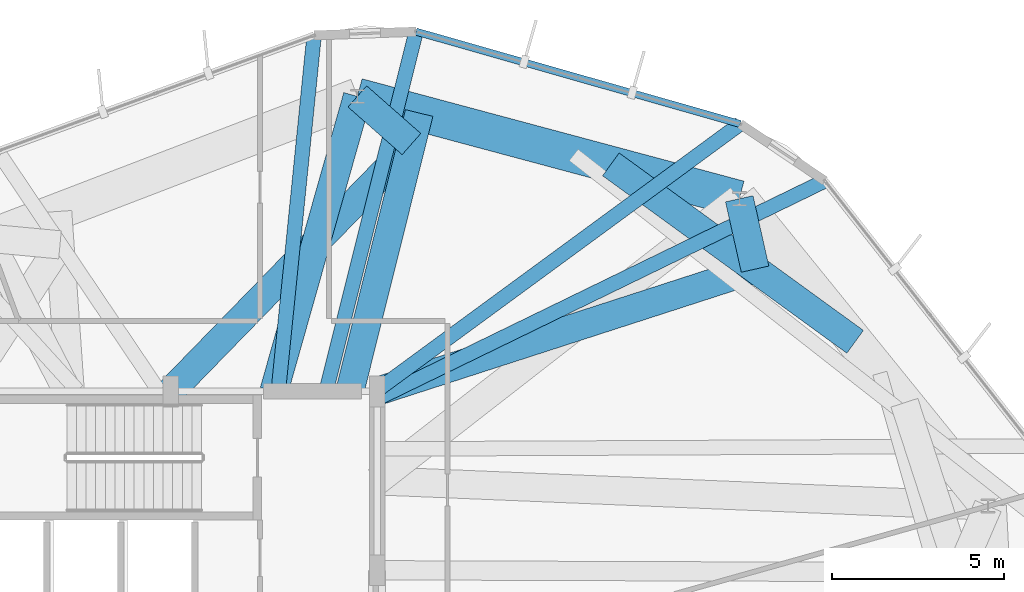
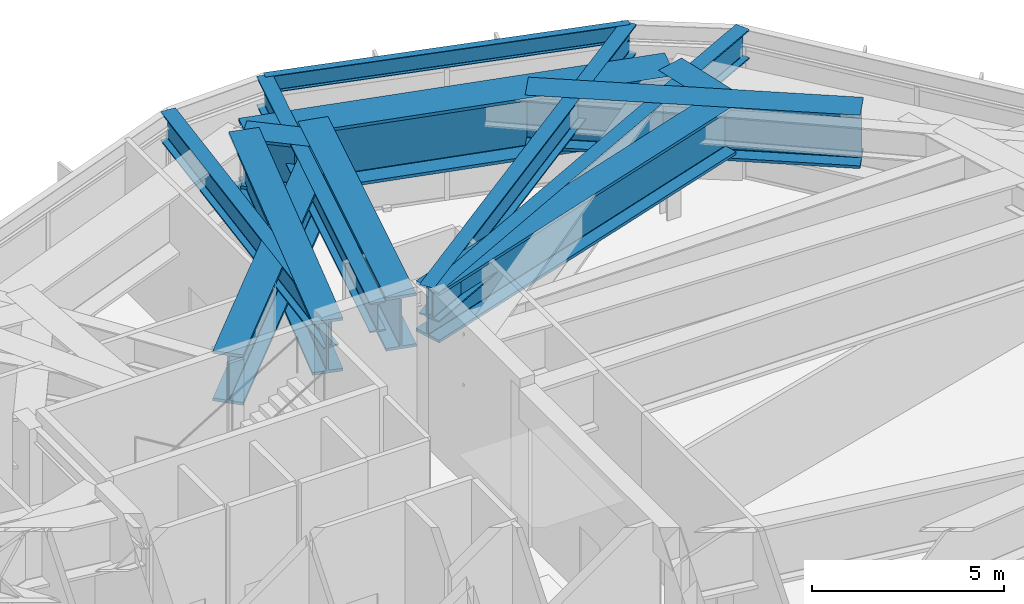
# One storey, part 20 of 30: 13 beams.
"""IFC4 building model written with IfcOpenShell, lengths in metres."""

from ifc_helpers import new_model, si_unit, direction, frame, origin, origin_2d, place, context, subcontext, project, spatial, i_section, extrude, material, material_profile, profile_set, type_object, element, save


model = new_model("IFC4")

# Units and contexts
model_context = context("Model", 3, precision=1e-05, world=origin(), true_north=direction((0.0, 1.0)))
body_context = subcontext(model_context, "Body", "Model", "MODEL_VIEW")
ifc_project = project(units=[si_unit("LENGTHUNIT", "METRE"), si_unit("AREAUNIT", "SQUARE_METRE"), si_unit("VOLUMEUNIT", "CUBIC_METRE"), si_unit("PLANEANGLEUNIT", "RADIAN"), si_unit("MASSUNIT", "GRAM", prefix="KILO")], contexts=[model_context])

# Site, building, storey
site_placement = place(None, origin())
site = spatial("IfcSite", under=ifc_project, at=site_placement, CompositionType="ELEMENT")
building_placement = place(site_placement, origin())
building = spatial("IfcBuilding", under=site, at=building_placement, Name="Soratama Intermodal Tower", CompositionType="ELEMENT")
storey_placement = place(building_placement, frame((0.0, 0.0, 237.39990234375)))
storey = spatial("IfcBuildingStorey", under=building, at=storey_placement, Name="L60", CompositionType="ELEMENT", Elevation=237.39990234375)

# Beams
ifc_material_1 = material(Name="Structural steel ASTM A992 Grade 50", Category="steel")
ifc_material_profile_1 = material_profile(ifc_material_1, i_section(OverallWidth=0.423095703125, OverallDepth=0.93896484375, WebThickness=0.02392578125, FlangeThickness=0.042724609375, FilletRadius=0.02392578125, at=origin_2d()), Name="W36X302")
ifc_profile_set_1 = profile_set([ifc_material_profile_1], Name="Structural steel ASTM A992 Grade 50")
beam_type_1 = type_object("IfcBeamType", Name="BM-POD-W36X302", PredefinedType="BEAM", material=ifc_profile_set_1)
beam_1_placement = place(storey_placement, frame((44.587890625, 35.02392578125, 4.33056640625), z_axis=(0.806393743969, 0.591379006803, 0.0), x_axis=(-0.591379006803, 0.806393743969, 0.0)))
element("IfcBeam", 1, at=beam_1_placement, inside=storey, type_object=beam_type_1, Name="BM-L60-TIE0-01", PredefinedType="BEAM", context=body_context, shape_type="SweptSolid", body=[
    extrude(i_section(OverallWidth=0.423095703125, OverallDepth=0.93896484375, WebThickness=0.02392578125, FlangeThickness=0.042724609375, FilletRadius=0.02392578125, at=origin_2d()), origin(), (0.0, 0.0, 1.0), 13.106689453125),
])
beam_2_placement = place(storey_placement, frame((43.1259765625, 35.0390625, 4.33056640625), z_axis=(0.242792321755, 0.97007828988, 0.0), x_axis=(-0.97007828988, 0.242792321755, 0.0)))
element("IfcBeam", 2, at=beam_2_placement, inside=storey, type_object=beam_type_1, Name="BM-L60-TIE1-01", PredefinedType="BEAM", context=body_context, shape_type="SweptSolid", body=[
    extrude(i_section(OverallWidth=0.423095703125, OverallDepth=0.93896484375, WebThickness=0.02392578125, FlangeThickness=0.042724609375, FilletRadius=0.02392578125, at=origin_2d()), origin(), (0.0, 0.0, 1.0), 10.7412109375),
])
beam_3_placement = place(storey_placement, frame((41.73193359375, 35.0400390625, 4.33056640625), z_axis=(0.100180192017, 0.994969310646, 0.0), x_axis=(-0.994969310646, 0.100180192017, 0.0)))
element("IfcBeam", 3, at=beam_3_placement, inside=storey, type_object=beam_type_1, Name="BM-L60-TIE0-02", PredefinedType="BEAM", context=body_context, shape_type="SweptSolid", body=[
    extrude(i_section(OverallWidth=0.423095703125, OverallDepth=0.93896484375, WebThickness=0.02392578125, FlangeThickness=0.042724609375, FilletRadius=0.02392578125, at=origin_2d()), origin(), (0.0, 0.0, 1.0), 10.3623046875),
])
beam_4_placement = place(storey_placement, frame((44.635986328125, 34.802978515625, 4.33056640625), z_axis=(0.899204344105, 0.437528910522, 0.0), x_axis=(-0.437528910522, 0.899204344105, 0.0)))
element("IfcBeam", 4, at=beam_4_placement, inside=storey, type_object=beam_type_1, Name="BM-L60-TIE1-10", PredefinedType="BEAM", context=body_context, shape_type="SweptSolid", body=[
    extrude(i_section(OverallWidth=0.423095703125, OverallDepth=0.93896484375, WebThickness=0.02392578125, FlangeThickness=0.042724609375, FilletRadius=0.02392578125, at=origin_2d()), origin(), (0.0, 0.0, 1.0), 14.438232421875),
])
ifc_material_2 = material(Name="Structural steel ASTM A992 Grade 50", Category="steel")
ifc_material_profile_2 = material_profile(ifc_material_2, i_section(OverallWidth=0.2099609375, OverallDepth=0.537109375, WebThickness=0.010986328125, FlangeThickness=0.017333984375, FilletRadius=0.012939453125, at=origin_2d()), Name="W21X68")
ifc_profile_set_2 = profile_set([ifc_material_profile_2], Name="Structural steel ASTM A992 Grade 50")
beam_type_2 = type_object("IfcBeamType", Name="BM-SPN-W21X68", PredefinedType="SPANDREL", material=ifc_profile_set_2)
beam_5_placement = place(storey_placement, frame((55.156982421875, 42.77490234375, 4.531494140625), z_axis=(-0.961745541856, 0.273944360628, 0.0), x_axis=(-0.273944360628, -0.961745541856, 0.0)))
element("IfcBeam", 5, at=beam_5_placement, inside=storey, type_object=beam_type_2, Name="BS-L60-F01", PredefinedType="SPANDREL", context=body_context, shape_type="SweptSolid", body=[
    extrude(i_section(OverallWidth=0.2099609375, OverallDepth=0.537109375, WebThickness=0.010986328125, FlangeThickness=0.017333984375, FilletRadius=0.012939453125, at=origin_2d()), origin(), (0.0, 0.0, 1.0), 9.7978515625),
])
ifc_material_3 = material(Name="Structural steel ASTM A992 Grade 50", Category="steel")
ifc_material_profile_3 = material_profile(ifc_material_3, i_section(OverallWidth=0.820068359375, OverallDepth=1.699951171875, WebThickness=0.053955078125, FlangeThickness=0.087890625, FilletRadius=0.02392578125, at=origin_2d()), Name="PG1580X800")
ifc_profile_set_3 = profile_set([ifc_material_profile_3], Name="Structural steel ASTM A992 Grade 50")
beam_type_3 = type_object("IfcBeamType", Name="BM-ZSTEP-PG1580", PredefinedType="BEAM", material=ifc_profile_set_3)
beam_6_placement = place(storey_placement, frame((58.498046875, 36.44091796875, 3.9501953125), z_axis=(-0.809072757746, 0.58770849294, 0.0), x_axis=(-0.58770849294, -0.809072757746, 0.0)))
element("IfcBeam", 6, at=beam_6_placement, inside=storey, type_object=beam_type_3, Name="BM-L60-ZCHORD-02", PredefinedType="BEAM", context=body_context, shape_type="SweptSolid", body=[
    extrude(i_section(OverallWidth=0.820068359375, OverallDepth=1.699951171875, WebThickness=0.053955078125, FlangeThickness=0.087890625, FilletRadius=0.02392578125, at=origin_2d()), origin(), (0.0, 0.0, 1.0), 8.77685546875),
])
beam_7_placement = place(storey_placement, frame((45.824951171875, 43.093017578125, 3.9501953125), z_axis=(-0.241812377871, -0.970323025548, 0.0), x_axis=(0.970323025548, -0.241812377871, 0.0)))
element("IfcBeam", 7, at=beam_7_placement, inside=storey, type_object=beam_type_3, Name="BM-L60-ZCHORD-03", PredefinedType="BEAM", context=body_context, shape_type="SweptSolid", body=[
    extrude(i_section(OverallWidth=0.820068359375, OverallDepth=1.699951171875, WebThickness=0.053955078125, FlangeThickness=0.087890625, FilletRadius=0.02392578125, at=origin_2d()), origin(), (0.0, 0.0, 1.0), 8.340576171875),
])
beam_8_placement = place(storey_placement, frame((41.60009765625, 35.0, 3.9501953125), z_axis=(0.272335865412, 0.96220225338, 0.0), x_axis=(-0.96220225338, 0.272335865412, 0.0)))
element("IfcBeam", 8, at=beam_8_placement, inside=storey, type_object=beam_type_3, Name="BM-L60-RAD-03", PredefinedType="BEAM", context=body_context, shape_type="SweptSolid", body=[
    extrude(i_section(OverallWidth=0.820068359375, OverallDepth=1.699951171875, WebThickness=0.053955078125, FlangeThickness=0.087890625, FilletRadius=0.02392578125, at=origin_2d()), origin(), (0.0, 0.0, 1.0), 8.911865234375),
])
ifc_material_4 = material(Name="Structural steel ASTM A992 Grade 50", Category="steel")
ifc_material_profile_4 = material_profile(ifc_material_4, i_section(OverallWidth=0.820068359375, OverallDepth=1.60205078125, WebThickness=0.055908203125, FlangeThickness=0.092041015625, FilletRadius=0.02392578125, at=origin_2d()), Name="PG1600X650")
ifc_profile_set_4 = profile_set([ifc_material_profile_4], Name="Structural steel ASTM A992 Grade 50")
beam_type_4 = type_object("IfcBeamType", Name="BM-ZSTEP-PG1600", PredefinedType="BEAM", material=ifc_profile_set_4)
beam_9_placement = place(storey_placement, frame((55.1298828125, 40.59912109375, 3.9990234375), z_axis=(0.219088127619, -0.975705074465, 0.0), x_axis=(0.975705074465, 0.219088127619, 0.0)))
element("IfcBeam", 9, at=beam_9_placement, inside=storey, type_object=beam_type_4, Name="BM-L60-ZSTEP-A02", PredefinedType="BEAM", context=body_context, shape_type="SweptSolid", body=[
    extrude(i_section(OverallWidth=0.820068359375, OverallDepth=1.60205078125, WebThickness=0.055908203125, FlangeThickness=0.092041015625, FilletRadius=0.02392578125, at=origin_2d()), origin(), (0.0, 0.0, 1.0), 2.09619140625),
])
beam_10_placement = place(storey_placement, frame((55.589111328125, 38.553955078125, 3.9990234375), z_axis=(-0.95147783512, -0.307717287904, 0.0), x_axis=(0.307717287904, -0.95147783512, 0.0)))
element("IfcBeam", 10, at=beam_10_placement, inside=storey, type_object=beam_type_4, Name="BM-L60-ZSTEP-B02", PredefinedType="BEAM", context=body_context, shape_type="SweptSolid", body=[
    extrude(i_section(OverallWidth=0.820068359375, OverallDepth=1.60205078125, WebThickness=0.055908203125, FlangeThickness=0.092041015625, FilletRadius=0.02392578125, at=origin_2d()), origin(), (0.0, 0.0, 1.0), 11.54931640625),
])
beam_11_placement = place(storey_placement, frame((44.027099609375, 43.574951171875, 3.9990234375), z_axis=(0.750530931175, -0.6608353209, 0.0), x_axis=(0.6608353209, 0.750530931175, 0.0)))
element("IfcBeam", 11, at=beam_11_placement, inside=storey, type_object=beam_type_4, Name="BM-L60-ZSTEP-A03", PredefinedType="BEAM", context=body_context, shape_type="SweptSolid", body=[
    extrude(i_section(OverallWidth=0.820068359375, OverallDepth=1.60205078125, WebThickness=0.055908203125, FlangeThickness=0.092041015625, FilletRadius=0.02392578125, at=origin_2d()), origin(), (0.0, 0.0, 1.0), 2.095947265625),
])
beam_12_placement = place(storey_placement, frame((45.60009765625, 42.18994140625, 3.9990234375), z_axis=(-0.69757921474, -0.7165076686, 0.0), x_axis=(0.7165076686, -0.69757921474, 0.0)))
element("IfcBeam", 12, at=beam_12_placement, inside=storey, type_object=beam_type_4, Name="BM-L60-ZSTEP-B03", PredefinedType="BEAM", context=body_context, shape_type="SweptSolid", body=[
    extrude(i_section(OverallWidth=0.820068359375, OverallDepth=1.60205078125, WebThickness=0.055908203125, FlangeThickness=0.092041015625, FilletRadius=0.02392578125, at=origin_2d()), origin(), (0.0, 0.0, 1.0), 10.03466796875),
])
ifc_material_5 = material(Name="Structural steel ASTM A992 Grade 50", Category="steel")
ifc_material_profile_5 = material_profile(ifc_material_5, i_section(OverallWidth=1.06005859375, OverallDepth=1.9599609375, WebThickness=0.05810546875, FlangeThickness=0.095947265625, FilletRadius=0.02392578125, at=origin_2d()), Name="PG2400X900")
ifc_profile_set_5 = profile_set([ifc_material_profile_5], Name="Structural steel ASTM A992 Grade 50")
beam_type_5 = type_object("IfcBeamType", Name="BM-ZSTEP-PG2400", PredefinedType="BEAM", material=ifc_profile_set_5)
beam_13_placement = place(storey_placement, frame((55.1298828125, 40.59912109375, 3.820068359375), z_axis=(-0.965907374298, 0.258887899055, 0.0), x_axis=(-0.258887899055, -0.965907374298, 0.0)))
element("IfcBeam", 13, at=beam_13_placement, inside=storey, type_object=beam_type_5, Name="BM-L60-RING-02", PredefinedType="BEAM", context=body_context, shape_type="SweptSolid", body=[
    extrude(i_section(OverallWidth=1.06005859375, OverallDepth=1.9599609375, WebThickness=0.05810546875, FlangeThickness=0.095947265625, FilletRadius=0.02392578125, at=origin_2d()), origin(), (0.0, 0.0, 1.0), 11.49462890625),
])

save(model, "model.ifc")
